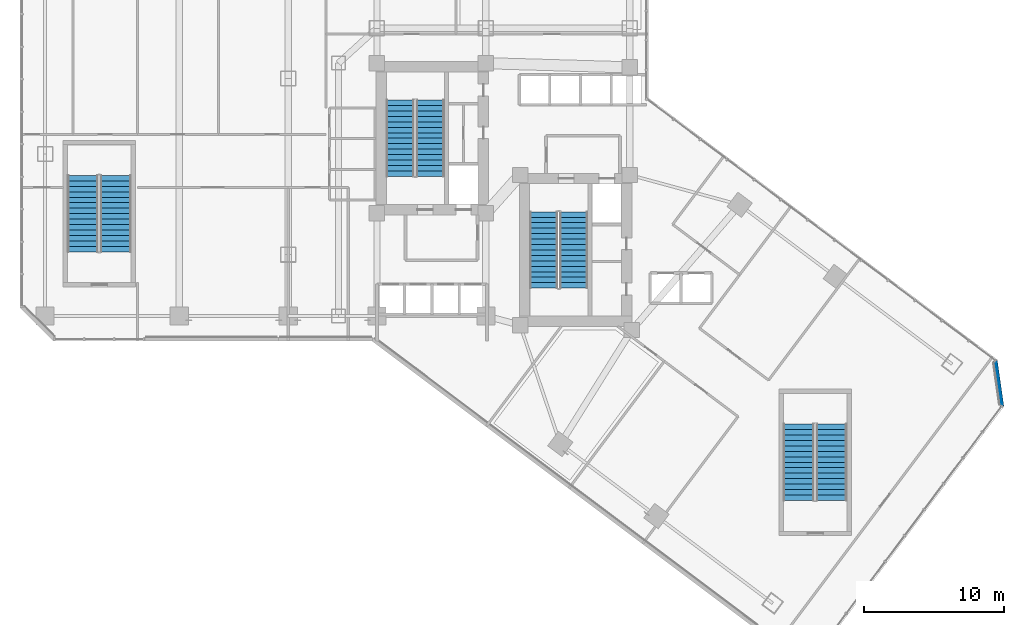
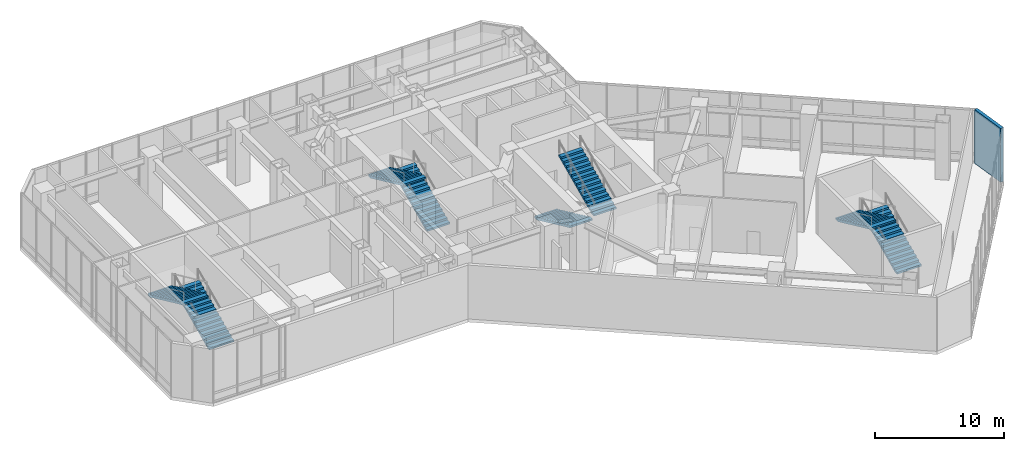
# One storey, part 30 of 35: 8 stair flights, 1 wall, 4 elements without a shape of their own.
"""IFC4 building model written with IfcOpenShell, lengths in metres."""

import ifcopenshell
import ifcopenshell.guid

model = None  # the IFC model being written
_history = None  # IfcOwnerHistory: only IFC2X3 demands one
_inside = {}  # id of a spatial element -> (the spatial element, [elements in it])
_under = {}  # id of a project, library or spatial element -> (it, [spatial elements below it])
_declared = {}  # id of a project -> (the project, [libraries it declares])
_typed = {}  # id of a type object -> (the type object, [elements of that type])
_made_of = {}  # id of a material, layer set ... -> (it, [elements and type objects made of it])


def new_model(schema):
    """Start an empty IFC model of exactly this schema.

    Asked for "IFC4X3", IfcOpenShell would pick the latest addendum, in which some entities
    have other attributes; the version numbers below select the first issue.
    IFC2X3 requires an IfcOwnerHistory on every rooted entity: one is made here for all.
    """
    global model, _history
    if schema == "IFC4X3":
        model = ifcopenshell.file(schema_version=(4, 3, 0, 0))
    else:
        model = ifcopenshell.file(schema=schema)
    _inside.clear()
    _under.clear()
    _declared.clear()
    _typed.clear()
    _made_of.clear()
    _history = None
    if model.schema == "IFC2X3":
        org = make("IfcOrganization", Name="unknown")
        user = make(
            "IfcPersonAndOrganization",
            ThePerson=make("IfcPerson", FamilyName="unknown"),
            TheOrganization=org,
        )
        app = make(
            "IfcApplication",
            ApplicationDeveloper=org,
            Version="unknown",
            ApplicationFullName="unknown",
            ApplicationIdentifier="unknown",
        )
        _history = make(
            "IfcOwnerHistory",
            OwningUser=user,
            OwningApplication=app,
            ChangeAction="ADDED",
            CreationDate=0,
        )
    return model


def make(cls, **values):
    """One entity of the class cls with the attributes given. An attribute that is None is left unset."""
    return model.create_entity(
        cls, **{name: value for name, value in values.items() if value is not None}
    )


def rooted(cls, **values):
    """An entity with a GlobalId (a new one), such as an element, a storey or a relation."""
    return make(cls, GlobalId=ifcopenshell.guid.new(), OwnerHistory=_history, **values)


def si_unit(unit_type, name, prefix=None):
    """IfcSIUnit, for example si_unit("LENGTHUNIT", "METRE", prefix="MILLI")."""
    return make("IfcSIUnit", UnitType=unit_type, Prefix=prefix, Name=name)


def assignment(units):
    """IfcUnitAssignment: the units of a project."""
    return None if units is None else make("IfcUnitAssignment", Units=units)


def point(xyz):
    """IfcCartesianPoint."""
    return None if xyz is None else make("IfcCartesianPoint", Coordinates=xyz)


def direction(xyz):
    """IfcDirection."""
    return None if xyz is None else make("IfcDirection", DirectionRatios=xyz)


def frame(location, z_axis=None, x_axis=None):
    """IfcAxis2Placement3D, a coordinate frame: its origin and axes. An axis left out is left unset."""
    return make(
        "IfcAxis2Placement3D",
        Location=point(location),
        Axis=direction(z_axis),
        RefDirection=direction(x_axis),
    )


def frame_2d(location, x_axis=None):
    """IfcAxis2Placement2D, a coordinate frame in the plane: its origin and x axis."""
    return make(
        "IfcAxis2Placement2D", Location=point(location), RefDirection=direction(x_axis)
    )


def origin():
    """The frame at (0, 0, 0) with its axes left unset."""
    return frame((0.0, 0.0, 0.0))


def place(relative_to, where):
    """IfcLocalPlacement: puts the frame where relative to a parent placement (None: the world)."""
    return make(
        "IfcLocalPlacement", PlacementRelTo=relative_to, RelativePlacement=where
    )


def context(
    kind, dimensions, precision=None, world=None, true_north=None, identifier=None
):
    """IfcGeometricRepresentationContext, for example the 3D "Model" context."""
    return make(
        "IfcGeometricRepresentationContext",
        ContextIdentifier=identifier,
        ContextType=kind,
        CoordinateSpaceDimension=dimensions,
        Precision=precision,
        WorldCoordinateSystem=world,
        TrueNorth=true_north,
    )


def subcontext(parent, identifier, kind, view, scale=None):
    """IfcGeometricRepresentationSubContext, for example "Body" below "Model"."""
    return make(
        "IfcGeometricRepresentationSubContext",
        ContextIdentifier=identifier,
        ContextType=kind,
        ParentContext=parent,
        TargetScale=scale,
        TargetView=view,
    )


def project(units=None, contexts=None):
    """IfcProject with its units and contexts."""
    return rooted(
        "IfcProject",
        Name="project",
        RepresentationContexts=contexts,
        UnitsInContext=assignment(units),
    )


def spatial(cls, under=None, at=None, **own):
    """A site, building, storey or space (cls), placed at a placement, below another one or the project."""
    s = rooted(cls, ObjectPlacement=at, **own)
    if under is not None:
        _under.setdefault(under.id(), (under, []))[1].append(s)
    return s


def polyline(points):
    """IfcPolyline through the points."""
    return make("IfcPolyline", Points=[point(p) for p in points])


def profile(cls, at=None, kind="AREA", **sizes):
    """A parametric profile (cls). Its sizes go by their IFC names, for example OverallWidth=200.0."""
    return make(cls, ProfileType=kind, Position=at, **sizes)


def rectangle(**sizes):
    """IfcRectangleProfileDef."""
    return profile("IfcRectangleProfileDef", **sizes)


def outline(outer, holes=None, kind="AREA"):
    """IfcArbitraryClosedProfileDef: a profile drawn as a closed curve; with holes, ...WithVoids."""
    if holes is None:
        return make("IfcArbitraryClosedProfileDef", ProfileType=kind, OuterCurve=outer)
    return make(
        "IfcArbitraryProfileDefWithVoids",
        ProfileType=kind,
        OuterCurve=outer,
        InnerCurves=holes,
    )


def extrude(swept, where, along, depth):
    """IfcExtrudedAreaSolid: the profile swept, set in the frame where, extruded along a direction by depth."""
    return make(
        "IfcExtrudedAreaSolid",
        SweptArea=swept,
        Position=where,
        ExtrudedDirection=direction(along),
        Depth=depth,
    )


def shape(context_of_items, identifier, shape_type, items):
    """IfcShapeRepresentation: the items that make up one representation, for example the "Body"."""
    return make(
        "IfcShapeRepresentation",
        ContextOfItems=context_of_items,
        RepresentationIdentifier=identifier,
        RepresentationType=shape_type,
        Items=items,
    )


def material(Name=None, Category=None):
    """IfcMaterial."""
    return make("IfcMaterial", Name=Name, Category=Category)


def layer(
    of_material, thickness, ventilated=None, Name=None, Category=None, Priority=None
):
    """IfcMaterialLayer: one layer of a wall or slab, of a material (None: an air gap)."""
    return make(
        "IfcMaterialLayer",
        Material=of_material,
        LayerThickness=thickness,
        IsVentilated=ventilated,
        Name=Name,
        Category=Category,
        Priority=Priority,
    )


def layer_set(layers, Name=None):
    """IfcMaterialLayerSet."""
    return make("IfcMaterialLayerSet", MaterialLayers=layers, LayerSetName=Name)


def made_of(thing, what):
    """Note that an element or type object is made of a material, layer set ...; save() writes the relation."""
    if what is not None:
        _made_of.setdefault(what.id(), (what, []))[1].append(thing)
    return thing


def type_object(cls, material=None, **own):
    """A type object (cls), such as IfcWallType, which elements share."""
    return made_of(rooted(cls, **own), material)


def element(
    cls,
    number,
    at=None,
    inside=None,
    cuts=None,
    type_object=None,
    material=None,
    context=None,
    identifier="Body",
    shape_type=None,
    held_by="IfcProductDefinitionShape",
    body=None,
    shapes=None,
    **own,
):
    """One element of the class cls, such as IfcWall. Its Tag is "e" and its number.

    at: its placement. inside: the storey or other place that contains it. cuts: it is an
    opening in that element (IfcRelVoidsElement). A single representation is given by context,
    identifier, shape_type and body (its items); several are given by shapes. held_by: the class
    of the entity that holds the representations. save() writes the other relations.
    """
    e = rooted(cls, Tag="e%d" % number, ObjectPlacement=at, **own)
    if body is not None:
        shapes = [shape(context, identifier, shape_type, body)]
    if shapes is not None:
        e.Representation = make(held_by, Representations=shapes)
    if inside is not None:
        _inside.setdefault(inside.id(), (inside, []))[1].append(e)
    if cuts is not None:
        rooted(
            "IfcRelVoidsElement", RelatingBuildingElement=cuts, RelatedOpeningElement=e
        )
    if type_object is not None:
        _typed.setdefault(type_object.id(), (type_object, []))[1].append(e)
    return made_of(e, material)


def aggregate(whole, parts):
    """IfcRelAggregates: a whole, such as a stair, and the parts it consists of."""
    return rooted("IfcRelAggregates", RelatingObject=whole, RelatedObjects=parts)


def save(model, path):
    """Write the relations noted so far, then the file.

    IfcRelAggregates (storeys below a building ...), IfcRelContainedInSpatialStructure (elements
    in a storey), IfcRelDefinesByType, IfcRelAssociatesMaterial and IfcRelDeclares: one each for
    every whole, place, type object, material and project.
    """
    for whole, parts in _under.values():
        aggregate(whole, parts)
    for where, things in _inside.values():
        rooted(
            "IfcRelContainedInSpatialStructure",
            RelatedElements=things,
            RelatingStructure=where,
        )
    for kind, things in _typed.values():
        rooted("IfcRelDefinesByType", RelatedObjects=things, RelatingType=kind)
    for what, things in _made_of.values():
        rooted("IfcRelAssociatesMaterial", RelatedObjects=things, RelatingMaterial=what)
    for by, libraries in _declared.values():
        rooted("IfcRelDeclares", RelatingContext=by, RelatedDefinitions=libraries)
    model.write(path)


model = new_model("IFC4")

# Units and contexts
model_context = context("Model", 3, precision=1e-05, world=origin(), true_north=direction((0.0, 1.0)))
body_context = subcontext(model_context, "Body", "Model", "MODEL_VIEW")
ifc_project = project(units=[si_unit("LENGTHUNIT", "METRE"), si_unit("AREAUNIT", "SQUARE_METRE"), si_unit("VOLUMEUNIT", "CUBIC_METRE"), si_unit("PLANEANGLEUNIT", "RADIAN"), si_unit("MASSUNIT", "GRAM", prefix="KILO")], contexts=[model_context])

# Site, building, storey
site_placement = place(None, origin())
site = spatial("IfcSite", under=ifc_project, at=site_placement, CompositionType="ELEMENT")
building_placement = place(site_placement, origin())
building = spatial("IfcBuilding", under=site, at=building_placement, Name="Hatsunagi Terrace Concourse", CompositionType="ELEMENT")
storey_placement = place(building_placement, frame((0.0, 0.0, 16.199951171875)))
storey = spatial("IfcBuildingStorey", under=building, at=storey_placement, Name="L04", CompositionType="ELEMENT", Elevation=16.199951171875)

# Wall
ifc_material_1 = material(Name="Autoclaved Lightweight Concrete and Terracotta Cladding", Category="masonry")
ifc_layer = layer(ifc_material_1, 0.280029296875)
ifc_layer_set = layer_set([ifc_layer], Name="TerracottaSpandrelWall_280")
wall_type = type_object("IfcWallType", Name="TerracottaSpandrelWall_280", PredefinedType="STANDARD", material=ifc_layer_set)
wall_placement = place(storey_placement, frame((69.830078125, 22.0029296875, 0.0), z_axis=(0.0, 0.0, 1.0), x_axis=(0.141223223777, -0.989977778067, 0.0)))
element("IfcWall", 1, at=wall_placement, inside=storey, type_object=wall_type, Name="Exterior Spandrel Wall EW-L04-02", PredefinedType="STANDARD", context=body_context, shape_type="SweptSolid", body=[
    extrude(rectangle(XDim=3.27783203125, YDim=0.280029296875, at=frame_2d((1.638916015625, 0.0))), origin(), (0.0, 0.0, 1.0), 5.10009765625),
])

# Stair, stair flights
ifc_material_2 = material(Name="Concrete Fc42", Category="concrete")
stair_type_1 = type_object("IfcStairType", Name="DoglegExitStair_Podium2200_30R_180", PredefinedType="HALF_TURN_STAIR", material=ifc_material_2)
stair_1_placement = place(storey_placement, origin())
stair_1 = element("IfcStair", 2, at=stair_1_placement, inside=storey, type_object=stair_type_1, Name="L04 West Podium Convention Exit Stair ST-P1", PredefinedType="HALF_TURN_STAIR")
ifc_material_3 = material(Name="Concrete Fc42", Category="concrete")
stair_flight_type_1 = type_object("IfcStairFlightType", Name="DoglegStairFlight_Podium2200_30R_180", PredefinedType="STRAIGHT", material=ifc_material_3)
stair_flight_1_placement = place(storey_placement, frame((6.85009765625, 29.800048828125, 0.0), z_axis=(0.0, 0.0, 1.0), x_axis=(0.0, 1.0, 0.0)))
stair_flight_1 = element("IfcStairFlight", 3, at=stair_flight_1_placement, type_object=stair_flight_type_1, Name="ST-P1 flight 1", NumberOfRisers=15, NumberOfTreads=14, PredefinedType="STRAIGHT", RiserHeight=0.18, TreadLength=0.39, context=body_context, shape_type="SweptSolid", body=[
    extrude(outline(polyline([(0.0, 0.0), (0.0, 0.179931640625), (0.389892578125, 0.179931640625), (0.389892578125, 0.360107421875), (0.780029296875, 0.360107421875), (0.780029296875, 0.5400390625), (1.169921875, 0.5400390625), (1.169921875, 0.719970703125), (1.56005859375, 0.719970703125), (1.56005859375, 0.89990234375), (1.949951171875, 0.89990234375), (1.949951171875, 1.080078125), (2.340087890625, 1.080078125), (2.340087890625, 1.260009765625), (2.72998046875, 1.260009765625), (2.72998046875, 1.43994140625), (3.1201171875, 1.43994140625), (3.1201171875, 1.6201171875), (3.510009765625, 1.6201171875), (3.510009765625, 1.800048828125), (3.89990234375, 1.800048828125), (3.89990234375, 1.97998046875), (4.2900390625, 1.97998046875), (4.2900390625, 2.159912109375), (4.679931640625, 2.159912109375), (4.679931640625, 2.340087890625), (5.070068359375, 2.340087890625), (5.070068359375, 2.52001953125), (5.4599609375, 2.52001953125), (5.4599609375, 2.699951171875), (5.4599609375, 2.35498046875), (0.357666015625, 0.0), (0.0, 0.0)])), frame((0.0, 1.10009765625, 0.0), z_axis=(0.0, -1.0, 0.0), x_axis=(1.0, 0.0, 0.0)), (0.0, 0.0, 1.0), 2.199951171875),
])
stair_flight_2_placement = place(storey_placement, frame((4.5, 35.260009765625, 2.699951171875), z_axis=(0.0, 0.0, 1.0), x_axis=(0.0, -1.0, 0.0)))
stair_flight_2 = element("IfcStairFlight", 4, at=stair_flight_2_placement, type_object=stair_flight_type_1, Name="ST-P1 flight 2", NumberOfRisers=15, NumberOfTreads=14, PredefinedType="STRAIGHT", RiserHeight=0.18, TreadLength=0.39, context=body_context, shape_type="SweptSolid", body=[
    extrude(outline(polyline([(0.0, 0.0), (0.0, 0.179931640625), (0.389892578125, 0.179931640625), (0.389892578125, 0.360107421875), (0.780029296875, 0.360107421875), (0.780029296875, 0.5400390625), (1.169921875, 0.5400390625), (1.169921875, 0.719970703125), (1.56005859375, 0.719970703125), (1.56005859375, 0.89990234375), (1.949951171875, 0.89990234375), (1.949951171875, 1.080078125), (2.340087890625, 1.080078125), (2.340087890625, 1.260009765625), (2.72998046875, 1.260009765625), (2.72998046875, 1.43994140625), (3.1201171875, 1.43994140625), (3.1201171875, 1.6201171875), (3.510009765625, 1.6201171875), (3.510009765625, 1.800048828125), (3.89990234375, 1.800048828125), (3.89990234375, 1.97998046875), (4.2900390625, 1.97998046875), (4.2900390625, 2.159912109375), (4.679931640625, 2.159912109375), (4.679931640625, 2.340087890625), (5.070068359375, 2.340087890625), (5.070068359375, 2.52001953125), (5.4599609375, 2.52001953125), (5.4599609375, 2.699951171875), (5.4599609375, 2.35498046875), (0.357666015625, 0.0), (0.0, 0.0)])), frame((0.0, 1.10009765625, 0.0), z_axis=(0.0, -1.0, 0.0), x_axis=(1.0, 0.0, 0.0)), (0.0, 0.0, 1.0), 2.199951171875),
])
aggregate(stair_1, [stair_flight_1, stair_flight_2])

stair_2_placement = place(storey_placement, origin())
stair_2 = element("IfcStair", 5, at=stair_2_placement, inside=storey, type_object=stair_type_1, Name="L04 Southeast Podium Ballroom Exit Stair ST-P2", PredefinedType="HALF_TURN_STAIR")
stair_flight_3_placement = place(storey_placement, frame((58.10009765625, 12.0, 0.0), z_axis=(0.0, 0.0, 1.0), x_axis=(0.0, 1.0, 0.0)))
stair_flight_3 = element("IfcStairFlight", 6, at=stair_flight_3_placement, type_object=stair_flight_type_1, Name="ST-P2 flight 1", NumberOfRisers=15, NumberOfTreads=14, PredefinedType="STRAIGHT", RiserHeight=0.18, TreadLength=0.39, context=body_context, shape_type="SweptSolid", body=[
    extrude(outline(polyline([(0.0, 0.0), (0.0, 0.179931640625), (0.389892578125, 0.179931640625), (0.389892578125, 0.360107421875), (0.780029296875, 0.360107421875), (0.780029296875, 0.5400390625), (1.169921875, 0.5400390625), (1.169921875, 0.719970703125), (1.56005859375, 0.719970703125), (1.56005859375, 0.89990234375), (1.949951171875, 0.89990234375), (1.949951171875, 1.080078125), (2.340087890625, 1.080078125), (2.340087890625, 1.260009765625), (2.72998046875, 1.260009765625), (2.72998046875, 1.43994140625), (3.1201171875, 1.43994140625), (3.1201171875, 1.6201171875), (3.510009765625, 1.6201171875), (3.510009765625, 1.800048828125), (3.89990234375, 1.800048828125), (3.89990234375, 1.97998046875), (4.2900390625, 1.97998046875), (4.2900390625, 2.159912109375), (4.679931640625, 2.159912109375), (4.679931640625, 2.340087890625), (5.070068359375, 2.340087890625), (5.070068359375, 2.52001953125), (5.4599609375, 2.52001953125), (5.4599609375, 2.699951171875), (5.4599609375, 2.35498046875), (0.357666015625, 0.0), (0.0, 0.0)])), frame((0.0, 1.10009765625, 0.0), z_axis=(0.0, -1.0, 0.0), x_axis=(1.0, 0.0, 0.0)), (0.0, 0.0, 1.0), 2.199951171875),
])
stair_flight_4_placement = place(storey_placement, frame((55.75, 17.4599609375, 2.699951171875), z_axis=(0.0, 0.0, 1.0), x_axis=(0.0, -1.0, 0.0)))
stair_flight_4 = element("IfcStairFlight", 7, at=stair_flight_4_placement, type_object=stair_flight_type_1, Name="ST-P2 flight 2", NumberOfRisers=15, NumberOfTreads=14, PredefinedType="STRAIGHT", RiserHeight=0.18, TreadLength=0.39, context=body_context, shape_type="SweptSolid", body=[
    extrude(outline(polyline([(0.0, 0.0), (0.0, 0.179931640625), (0.389892578125, 0.179931640625), (0.389892578125, 0.360107421875), (0.780029296875, 0.360107421875), (0.780029296875, 0.5400390625), (1.169921875, 0.5400390625), (1.169921875, 0.719970703125), (1.56005859375, 0.719970703125), (1.56005859375, 0.89990234375), (1.949951171875, 0.89990234375), (1.949951171875, 1.080078125), (2.340087890625, 1.080078125), (2.340087890625, 1.260009765625), (2.72998046875, 1.260009765625), (2.72998046875, 1.43994140625), (3.1201171875, 1.43994140625), (3.1201171875, 1.6201171875), (3.510009765625, 1.6201171875), (3.510009765625, 1.800048828125), (3.89990234375, 1.800048828125), (3.89990234375, 1.97998046875), (4.2900390625, 1.97998046875), (4.2900390625, 2.159912109375), (4.679931640625, 2.159912109375), (4.679931640625, 2.340087890625), (5.070068359375, 2.340087890625), (5.070068359375, 2.52001953125), (5.4599609375, 2.52001953125), (5.4599609375, 2.699951171875), (5.4599609375, 2.35498046875), (0.357666015625, 0.0), (0.0, 0.0)])), frame((0.0, 1.10009765625, 0.0), z_axis=(0.0, -1.0, 0.0), x_axis=(1.0, 0.0, 0.0)), (0.0, 0.0, 1.0), 2.199951171875),
])
aggregate(stair_2, [stair_flight_3, stair_flight_4])

ifc_material_4 = material(Name="Concrete Fc42", Category="concrete")
stair_type_2 = type_object("IfcStairType", Name="DoglegExitStair_Tower2000_30R_180", PredefinedType="HALF_TURN_STAIR", material=ifc_material_4)
stair_3_placement = place(storey_placement, origin())
stair_3 = element("IfcStair", 8, at=stair_3_placement, inside=storey, type_object=stair_type_2, Name="L04 Core A Protected Exit Stair ST-A", PredefinedType="HALF_TURN_STAIR")
ifc_material_5 = material(Name="Concrete Fc42", Category="concrete")
stair_flight_type_2 = type_object("IfcStairFlightType", Name="DoglegStairFlight_Tower2000_30R_180", PredefinedType="STRAIGHT", material=ifc_material_5)
stair_flight_5_placement = place(storey_placement, frame((29.3798828125, 35.199951171875, 0.0), z_axis=(0.0, 0.0, 1.0), x_axis=(0.0, 1.0, 0.0)))
stair_flight_5 = element("IfcStairFlight", 9, at=stair_flight_5_placement, type_object=stair_flight_type_2, Name="ST-A flight 1", NumberOfRisers=15, NumberOfTreads=14, PredefinedType="STRAIGHT", RiserHeight=0.18, TreadLength=0.39, context=body_context, shape_type="SweptSolid", body=[
    extrude(outline(polyline([(0.0, 0.0), (0.0, 0.179931640625), (0.389892578125, 0.179931640625), (0.389892578125, 0.360107421875), (0.780029296875, 0.360107421875), (0.780029296875, 0.5400390625), (1.169921875, 0.5400390625), (1.169921875, 0.719970703125), (1.56005859375, 0.719970703125), (1.56005859375, 0.89990234375), (1.949951171875, 0.89990234375), (1.949951171875, 1.080078125), (2.340087890625, 1.080078125), (2.340087890625, 1.260009765625), (2.72998046875, 1.260009765625), (2.72998046875, 1.43994140625), (3.1201171875, 1.43994140625), (3.1201171875, 1.6201171875), (3.510009765625, 1.6201171875), (3.510009765625, 1.800048828125), (3.89990234375, 1.800048828125), (3.89990234375, 1.97998046875), (4.2900390625, 1.97998046875), (4.2900390625, 2.159912109375), (4.679931640625, 2.159912109375), (4.679931640625, 2.340087890625), (5.070068359375, 2.340087890625), (5.070068359375, 2.52001953125), (5.4599609375, 2.52001953125), (5.4599609375, 2.699951171875), (5.4599609375, 2.35498046875), (0.357666015625, 0.0), (0.0, 0.0)])), frame((0.0, 1.0, 0.0), z_axis=(0.0, -1.0, 0.0), x_axis=(1.0, 0.0, 0.0)), (0.0, 0.0, 1.0), 2.0),
])
stair_flight_6_placement = place(storey_placement, frame((27.22998046875, 40.659912109375, 2.699951171875), z_axis=(0.0, 0.0, 1.0), x_axis=(0.0, -1.0, 0.0)))
stair_flight_6 = element("IfcStairFlight", 10, at=stair_flight_6_placement, type_object=stair_flight_type_2, Name="ST-A flight 2", NumberOfRisers=15, NumberOfTreads=14, PredefinedType="STRAIGHT", RiserHeight=0.18, TreadLength=0.39, context=body_context, shape_type="SweptSolid", body=[
    extrude(outline(polyline([(0.0, 0.0), (0.0, 0.179931640625), (0.389892578125, 0.179931640625), (0.389892578125, 0.360107421875), (0.780029296875, 0.360107421875), (0.780029296875, 0.5400390625), (1.169921875, 0.5400390625), (1.169921875, 0.719970703125), (1.56005859375, 0.719970703125), (1.56005859375, 0.89990234375), (1.949951171875, 0.89990234375), (1.949951171875, 1.080078125), (2.340087890625, 1.080078125), (2.340087890625, 1.260009765625), (2.72998046875, 1.260009765625), (2.72998046875, 1.43994140625), (3.1201171875, 1.43994140625), (3.1201171875, 1.6201171875), (3.510009765625, 1.6201171875), (3.510009765625, 1.800048828125), (3.89990234375, 1.800048828125), (3.89990234375, 1.97998046875), (4.2900390625, 1.97998046875), (4.2900390625, 2.159912109375), (4.679931640625, 2.159912109375), (4.679931640625, 2.340087890625), (5.070068359375, 2.340087890625), (5.070068359375, 2.52001953125), (5.4599609375, 2.52001953125), (5.4599609375, 2.699951171875), (5.4599609375, 2.35498046875), (0.357666015625, 0.0), (0.0, 0.0)])), frame((0.0, 1.0, 0.0), z_axis=(0.0, -1.0, 0.0), x_axis=(1.0, 0.0, 0.0)), (0.0, 0.0, 1.0), 2.0),
])
aggregate(stair_3, [stair_flight_5, stair_flight_6])

stair_4_placement = place(storey_placement, origin())
stair_4 = element("IfcStair", 11, at=stair_4_placement, inside=storey, type_object=stair_type_2, Name="L04 Core B Protected Exit Stair ST-B", PredefinedType="HALF_TURN_STAIR")
stair_flight_7_placement = place(storey_placement, frame((37.5, 32.659912109375, 0.0), z_axis=(0.0, 0.0, 1.0), x_axis=(0.0, -1.0, 0.0)))
stair_flight_7 = element("IfcStairFlight", 12, at=stair_flight_7_placement, type_object=stair_flight_type_2, Name="ST-B flight 1", NumberOfRisers=15, NumberOfTreads=14, PredefinedType="STRAIGHT", RiserHeight=0.18, TreadLength=0.39, context=body_context, shape_type="SweptSolid", body=[
    extrude(outline(polyline([(0.0, 0.0), (0.0, 0.179931640625), (0.389892578125, 0.179931640625), (0.389892578125, 0.360107421875), (0.780029296875, 0.360107421875), (0.780029296875, 0.5400390625), (1.169921875, 0.5400390625), (1.169921875, 0.719970703125), (1.56005859375, 0.719970703125), (1.56005859375, 0.89990234375), (1.949951171875, 0.89990234375), (1.949951171875, 1.080078125), (2.340087890625, 1.080078125), (2.340087890625, 1.260009765625), (2.72998046875, 1.260009765625), (2.72998046875, 1.43994140625), (3.1201171875, 1.43994140625), (3.1201171875, 1.6201171875), (3.510009765625, 1.6201171875), (3.510009765625, 1.800048828125), (3.89990234375, 1.800048828125), (3.89990234375, 1.97998046875), (4.2900390625, 1.97998046875), (4.2900390625, 2.159912109375), (4.679931640625, 2.159912109375), (4.679931640625, 2.340087890625), (5.070068359375, 2.340087890625), (5.070068359375, 2.52001953125), (5.4599609375, 2.52001953125), (5.4599609375, 2.699951171875), (5.4599609375, 2.35498046875), (0.357666015625, 0.0), (0.0, 0.0)])), frame((0.0, 1.0, 0.0), z_axis=(0.0, -1.0, 0.0), x_axis=(1.0, 0.0, 0.0)), (0.0, 0.0, 1.0), 2.0),
])
stair_flight_8_placement = place(storey_placement, frame((39.64990234375, 27.199951171875, 2.699951171875), z_axis=(0.0, 0.0, 1.0), x_axis=(0.0, 1.0, 0.0)))
stair_flight_8 = element("IfcStairFlight", 13, at=stair_flight_8_placement, type_object=stair_flight_type_2, Name="ST-B flight 2", NumberOfRisers=15, NumberOfTreads=14, PredefinedType="STRAIGHT", RiserHeight=0.18, TreadLength=0.39, context=body_context, shape_type="SweptSolid", body=[
    extrude(outline(polyline([(0.0, 0.0), (0.0, 0.179931640625), (0.389892578125, 0.179931640625), (0.389892578125, 0.360107421875), (0.780029296875, 0.360107421875), (0.780029296875, 0.5400390625), (1.169921875, 0.5400390625), (1.169921875, 0.719970703125), (1.56005859375, 0.719970703125), (1.56005859375, 0.89990234375), (1.949951171875, 0.89990234375), (1.949951171875, 1.080078125), (2.340087890625, 1.080078125), (2.340087890625, 1.260009765625), (2.72998046875, 1.260009765625), (2.72998046875, 1.43994140625), (3.1201171875, 1.43994140625), (3.1201171875, 1.6201171875), (3.510009765625, 1.6201171875), (3.510009765625, 1.800048828125), (3.89990234375, 1.800048828125), (3.89990234375, 1.97998046875), (4.2900390625, 1.97998046875), (4.2900390625, 2.159912109375), (4.679931640625, 2.159912109375), (4.679931640625, 2.340087890625), (5.070068359375, 2.340087890625), (5.070068359375, 2.52001953125), (5.4599609375, 2.52001953125), (5.4599609375, 2.699951171875), (5.4599609375, 2.35498046875), (0.357666015625, 0.0), (0.0, 0.0)])), frame((0.0, 1.0, 0.0), z_axis=(0.0, -1.0, 0.0), x_axis=(1.0, 0.0, 0.0)), (0.0, 0.0, 1.0), 2.0),
])
aggregate(stair_4, [stair_flight_7, stair_flight_8])

save(model, "model.ifc")
